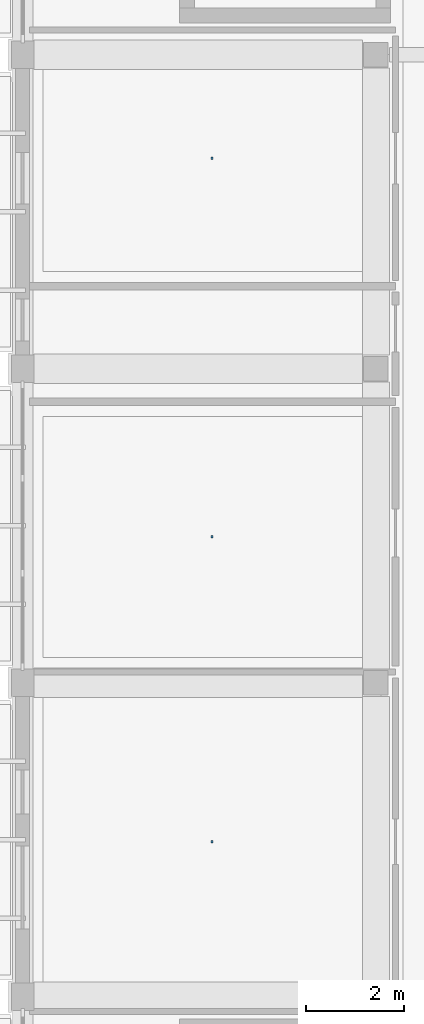
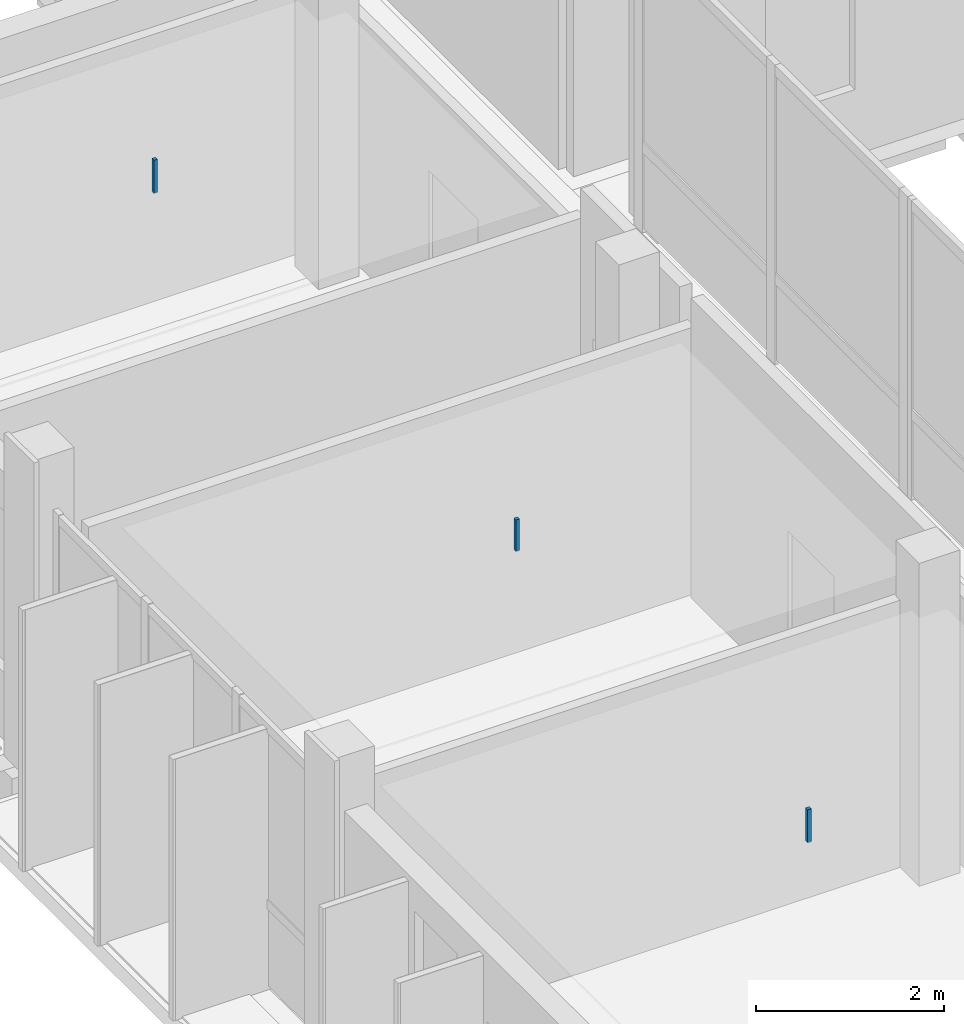
# One storey, part 58 of 85: 3 discrete accessories.
"""IFC4 building model written with IfcOpenShell, lengths in metres."""

from ifc_helpers import new_model, si_unit, derived_unit, direction, frame, origin, origin_2d, place, context, subcontext, project, spatial, rectangle, extrude, material, type_object, element, save


model = new_model("IFC4")

# Units and contexts
model_context = context("Model", 3, precision=1e-05, world=origin(), true_north=direction((0.0, 1.0)))
body_context = subcontext(model_context, "Body", "Model", "MODEL_VIEW")
ifc_project = project(units=[si_unit("LENGTHUNIT", "METRE"), si_unit("AREAUNIT", "SQUARE_METRE"), si_unit("VOLUMEUNIT", "CUBIC_METRE"), si_unit("PLANEANGLEUNIT", "RADIAN"), si_unit("MASSUNIT", "GRAM", prefix="KILO"), derived_unit("THERMALTRANSMITTANCEUNIT", [(si_unit("POWERUNIT", "WATT"), 1), (si_unit("LENGTHUNIT", "METRE"), -2), (si_unit("THERMODYNAMICTEMPERATUREUNIT", "KELVIN"), -1)])], contexts=[model_context])

# Site, building, storey
site_placement = place(None, origin())
site = spatial("IfcSite", under=ifc_project, at=site_placement, CompositionType="ELEMENT")
building_placement = place(site_placement, origin())
building = spatial("IfcBuilding", under=site, at=building_placement, Name="Braskholm Square Health Centre", CompositionType="ELEMENT")
storey_placement = place(building_placement, frame((0.0, 0.0, 9.300048828125)))
storey = spatial("IfcBuildingStorey", under=building, at=storey_placement, Name="L03", CompositionType="ELEMENT", Elevation=9.300048828125)

# Discrete accessories
ifc_material = material(Name="Steel ASTM A500 Grade C", Category="steel")
discrete_accessory_type = type_object("IfcDiscreteAccessoryType", Name="CeilingSuspensionBracket", PredefinedType="BRACKET", material=ifc_material)
discrete_accessory_1_placement = place(storey_placement, frame((8.06005859375, 32.9599609375, 3.48193359375), z_axis=(0.0, 0.0, 1.0), x_axis=(1.0, 0.0, 0.0)))
element("IfcDiscreteAccessory", 1, at=discrete_accessory_1_placement, inside=storey, type_object=discrete_accessory_type, Name="Ceiling hanger bracket 0044", PredefinedType="BRACKET", context=body_context, shape_type="SweptSolid", body=[
    extrude(rectangle(XDim=0.044921875, YDim=0.044921875, at=origin_2d()), origin(), (0.0, 0.0, 1.0), 0.429931640625),
])
discrete_accessory_2_placement = place(storey_placement, frame((8.06005859375, 39.175048828125, 3.501953125), z_axis=(0.0, 0.0, 1.0), x_axis=(1.0, 0.0, 0.0)))
element("IfcDiscreteAccessory", 2, at=discrete_accessory_2_placement, inside=storey, type_object=discrete_accessory_type, Name="Ceiling hanger bracket 0045", PredefinedType="BRACKET", context=body_context, shape_type="SweptSolid", body=[
    extrude(rectangle(XDim=0.044921875, YDim=0.044921875, at=origin_2d()), origin(), (0.0, 0.0, 1.0), 0.409912109375),
])
discrete_accessory_3_placement = place(storey_placement, frame((8.06005859375, 46.889892578125, 3.48193359375), z_axis=(0.0, 0.0, 1.0), x_axis=(1.0, 0.0, 0.0)))
element("IfcDiscreteAccessory", 3, at=discrete_accessory_3_placement, inside=storey, type_object=discrete_accessory_type, Name="Ceiling hanger bracket 0046", PredefinedType="BRACKET", context=body_context, shape_type="SweptSolid", body=[
    extrude(rectangle(XDim=0.044921875, YDim=0.044921875, at=origin_2d()), origin(), (0.0, 0.0, 1.0), 0.429931640625),
])

save(model, "model.ifc")
